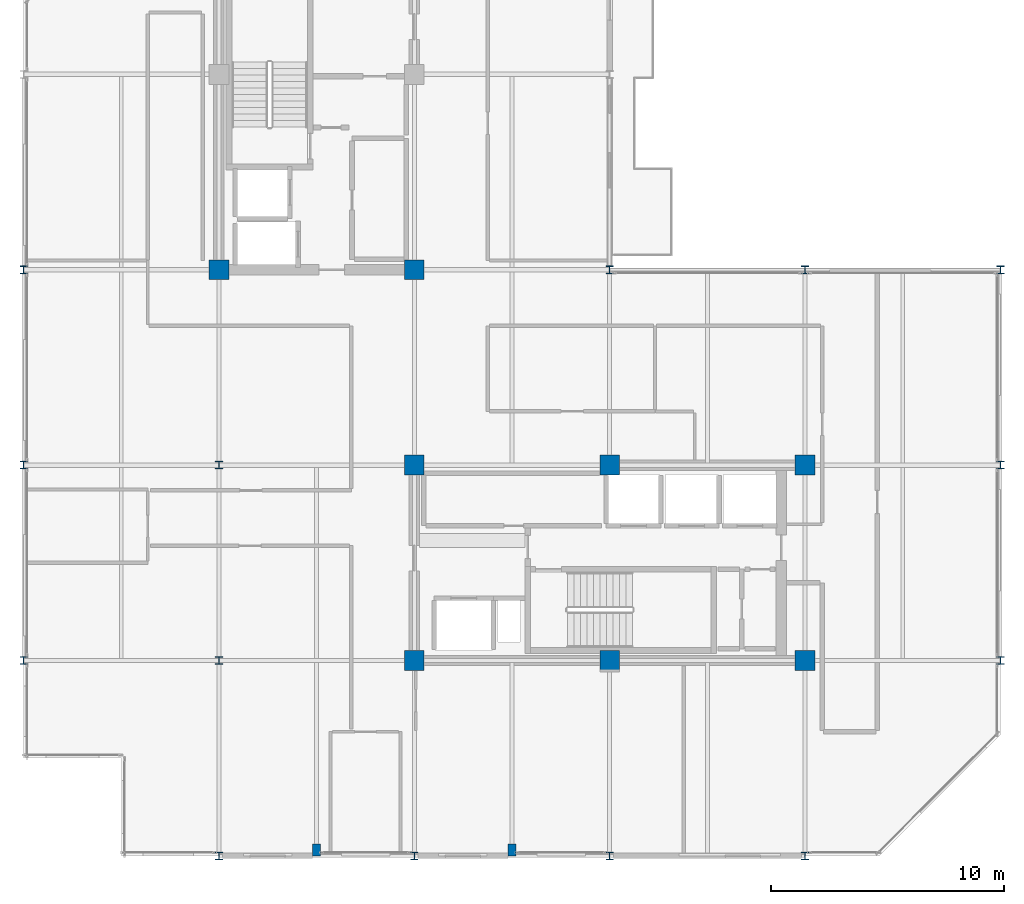
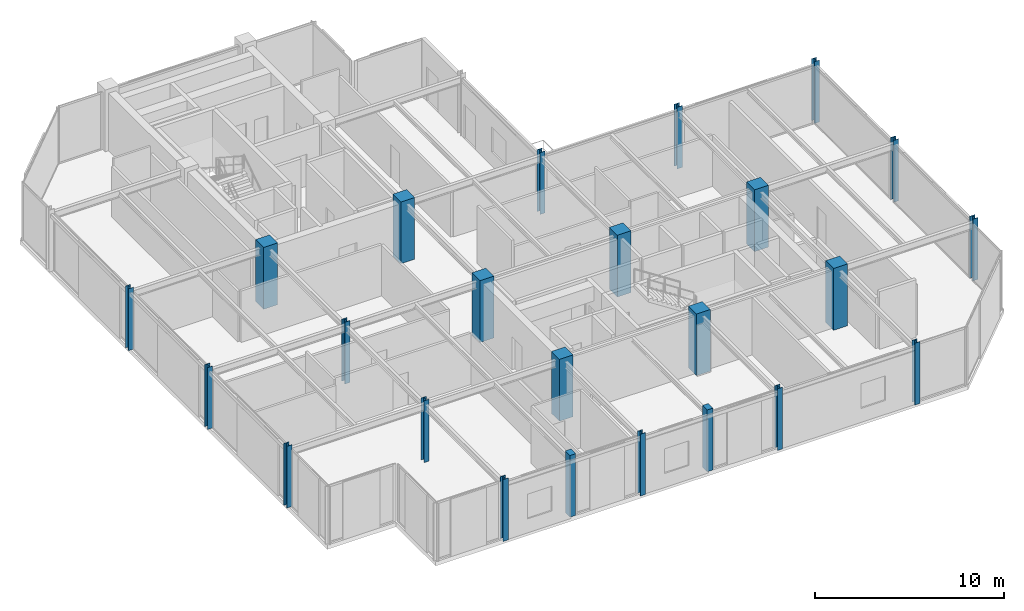
# One storey, part 1 of 26: 24 columns.
"""IFC4 building model written with IfcOpenShell, lengths in metres."""

import ifcopenshell
import ifcopenshell.guid

model = None  # the IFC model being written
_history = None  # IfcOwnerHistory: only IFC2X3 demands one
_inside = {}  # id of a spatial element -> (the spatial element, [elements in it])
_under = {}  # id of a project, library or spatial element -> (it, [spatial elements below it])
_declared = {}  # id of a project -> (the project, [libraries it declares])
_typed = {}  # id of a type object -> (the type object, [elements of that type])
_made_of = {}  # id of a material, layer set ... -> (it, [elements and type objects made of it])


def new_model(schema):
    """Start an empty IFC model of exactly this schema.

    Asked for "IFC4X3", IfcOpenShell would pick the latest addendum, in which some entities
    have other attributes; the version numbers below select the first issue.
    IFC2X3 requires an IfcOwnerHistory on every rooted entity: one is made here for all.
    """
    global model, _history
    if schema == "IFC4X3":
        model = ifcopenshell.file(schema_version=(4, 3, 0, 0))
    else:
        model = ifcopenshell.file(schema=schema)
    _inside.clear()
    _under.clear()
    _declared.clear()
    _typed.clear()
    _made_of.clear()
    _history = None
    if model.schema == "IFC2X3":
        org = make("IfcOrganization", Name="unknown")
        user = make(
            "IfcPersonAndOrganization",
            ThePerson=make("IfcPerson", FamilyName="unknown"),
            TheOrganization=org,
        )
        app = make(
            "IfcApplication",
            ApplicationDeveloper=org,
            Version="unknown",
            ApplicationFullName="unknown",
            ApplicationIdentifier="unknown",
        )
        _history = make(
            "IfcOwnerHistory",
            OwningUser=user,
            OwningApplication=app,
            ChangeAction="ADDED",
            CreationDate=0,
        )
    return model


def make(cls, **values):
    """One entity of the class cls with the attributes given. An attribute that is None is left unset."""
    return model.create_entity(
        cls, **{name: value for name, value in values.items() if value is not None}
    )


def rooted(cls, **values):
    """An entity with a GlobalId (a new one), such as an element, a storey or a relation."""
    return make(cls, GlobalId=ifcopenshell.guid.new(), OwnerHistory=_history, **values)


def si_unit(unit_type, name, prefix=None):
    """IfcSIUnit, for example si_unit("LENGTHUNIT", "METRE", prefix="MILLI")."""
    return make("IfcSIUnit", UnitType=unit_type, Prefix=prefix, Name=name)


def assignment(units):
    """IfcUnitAssignment: the units of a project."""
    return None if units is None else make("IfcUnitAssignment", Units=units)


def point(xyz):
    """IfcCartesianPoint."""
    return None if xyz is None else make("IfcCartesianPoint", Coordinates=xyz)


def direction(xyz):
    """IfcDirection."""
    return None if xyz is None else make("IfcDirection", DirectionRatios=xyz)


def frame(location, z_axis=None, x_axis=None):
    """IfcAxis2Placement3D, a coordinate frame: its origin and axes. An axis left out is left unset."""
    return make(
        "IfcAxis2Placement3D",
        Location=point(location),
        Axis=direction(z_axis),
        RefDirection=direction(x_axis),
    )


def frame_2d(location, x_axis=None):
    """IfcAxis2Placement2D, a coordinate frame in the plane: its origin and x axis."""
    return make(
        "IfcAxis2Placement2D", Location=point(location), RefDirection=direction(x_axis)
    )


def origin():
    """The frame at (0, 0, 0) with its axes left unset."""
    return frame((0.0, 0.0, 0.0))


def origin_2d():
    """The frame at (0, 0) in the plane with its x axis left unset."""
    return frame_2d((0.0, 0.0))


def place(relative_to, where):
    """IfcLocalPlacement: puts the frame where relative to a parent placement (None: the world)."""
    return make(
        "IfcLocalPlacement", PlacementRelTo=relative_to, RelativePlacement=where
    )


def context(
    kind, dimensions, precision=None, world=None, true_north=None, identifier=None
):
    """IfcGeometricRepresentationContext, for example the 3D "Model" context."""
    return make(
        "IfcGeometricRepresentationContext",
        ContextIdentifier=identifier,
        ContextType=kind,
        CoordinateSpaceDimension=dimensions,
        Precision=precision,
        WorldCoordinateSystem=world,
        TrueNorth=true_north,
    )


def subcontext(parent, identifier, kind, view, scale=None):
    """IfcGeometricRepresentationSubContext, for example "Body" below "Model"."""
    return make(
        "IfcGeometricRepresentationSubContext",
        ContextIdentifier=identifier,
        ContextType=kind,
        ParentContext=parent,
        TargetScale=scale,
        TargetView=view,
    )


def project(units=None, contexts=None):
    """IfcProject with its units and contexts."""
    return rooted(
        "IfcProject",
        Name="project",
        RepresentationContexts=contexts,
        UnitsInContext=assignment(units),
    )


def spatial(cls, under=None, at=None, **own):
    """A site, building, storey or space (cls), placed at a placement, below another one or the project."""
    s = rooted(cls, ObjectPlacement=at, **own)
    if under is not None:
        _under.setdefault(under.id(), (under, []))[1].append(s)
    return s


def profile(cls, at=None, kind="AREA", **sizes):
    """A parametric profile (cls). Its sizes go by their IFC names, for example OverallWidth=200.0."""
    return make(cls, ProfileType=kind, Position=at, **sizes)


def rectangle(**sizes):
    """IfcRectangleProfileDef."""
    return profile("IfcRectangleProfileDef", **sizes)


def i_section(**sizes):
    """IfcIShapeProfileDef."""
    return profile("IfcIShapeProfileDef", **sizes)


def extrude(swept, where, along, depth):
    """IfcExtrudedAreaSolid: the profile swept, set in the frame where, extruded along a direction by depth."""
    return make(
        "IfcExtrudedAreaSolid",
        SweptArea=swept,
        Position=where,
        ExtrudedDirection=direction(along),
        Depth=depth,
    )


def shape(context_of_items, identifier, shape_type, items):
    """IfcShapeRepresentation: the items that make up one representation, for example the "Body"."""
    return make(
        "IfcShapeRepresentation",
        ContextOfItems=context_of_items,
        RepresentationIdentifier=identifier,
        RepresentationType=shape_type,
        Items=items,
    )


def material(Name=None, Category=None):
    """IfcMaterial."""
    return make("IfcMaterial", Name=Name, Category=Category)


def material_profile(
    of_material, cross_section, Name=None, Category=None, Priority=None
):
    """IfcMaterialProfile: a cross section and its material."""
    return make(
        "IfcMaterialProfile",
        Name=Name,
        Material=of_material,
        Profile=cross_section,
        Priority=Priority,
        Category=Category,
    )


def profile_set(profiles, Name=None, composite=None):
    """IfcMaterialProfileSet."""
    return make(
        "IfcMaterialProfileSet",
        Name=Name,
        MaterialProfiles=profiles,
        CompositeProfile=composite,
    )


def made_of(thing, what):
    """Note that an element or type object is made of a material, layer set ...; save() writes the relation."""
    if what is not None:
        _made_of.setdefault(what.id(), (what, []))[1].append(thing)
    return thing


def type_object(cls, material=None, **own):
    """A type object (cls), such as IfcWallType, which elements share."""
    return made_of(rooted(cls, **own), material)


def element(
    cls,
    number,
    at=None,
    inside=None,
    cuts=None,
    type_object=None,
    material=None,
    context=None,
    identifier="Body",
    shape_type=None,
    held_by="IfcProductDefinitionShape",
    body=None,
    shapes=None,
    **own,
):
    """One element of the class cls, such as IfcWall. Its Tag is "e" and its number.

    at: its placement. inside: the storey or other place that contains it. cuts: it is an
    opening in that element (IfcRelVoidsElement). A single representation is given by context,
    identifier, shape_type and body (its items); several are given by shapes. held_by: the class
    of the entity that holds the representations. save() writes the other relations.
    """
    e = rooted(cls, Tag="e%d" % number, ObjectPlacement=at, **own)
    if body is not None:
        shapes = [shape(context, identifier, shape_type, body)]
    if shapes is not None:
        e.Representation = make(held_by, Representations=shapes)
    if inside is not None:
        _inside.setdefault(inside.id(), (inside, []))[1].append(e)
    if cuts is not None:
        rooted(
            "IfcRelVoidsElement", RelatingBuildingElement=cuts, RelatedOpeningElement=e
        )
    if type_object is not None:
        _typed.setdefault(type_object.id(), (type_object, []))[1].append(e)
    return made_of(e, material)


def aggregate(whole, parts):
    """IfcRelAggregates: a whole, such as a stair, and the parts it consists of."""
    return rooted("IfcRelAggregates", RelatingObject=whole, RelatedObjects=parts)


def save(model, path):
    """Write the relations noted so far, then the file.

    IfcRelAggregates (storeys below a building ...), IfcRelContainedInSpatialStructure (elements
    in a storey), IfcRelDefinesByType, IfcRelAssociatesMaterial and IfcRelDeclares: one each for
    every whole, place, type object, material and project.
    """
    for whole, parts in _under.values():
        aggregate(whole, parts)
    for where, things in _inside.values():
        rooted(
            "IfcRelContainedInSpatialStructure",
            RelatedElements=things,
            RelatingStructure=where,
        )
    for kind, things in _typed.values():
        rooted("IfcRelDefinesByType", RelatedObjects=things, RelatingType=kind)
    for what, things in _made_of.values():
        rooted("IfcRelAssociatesMaterial", RelatedObjects=things, RelatingMaterial=what)
    for by, libraries in _declared.values():
        rooted("IfcRelDeclares", RelatingContext=by, RelatedDefinitions=libraries)
    model.write(path)


model = new_model("IFC4")

# Units and contexts
model_context = context("Model", 3, precision=1e-05, world=origin(), true_north=direction((0.0, 1.0)))
body_context = subcontext(model_context, "Body", "Model", "MODEL_VIEW")
ifc_project = project(units=[si_unit("LENGTHUNIT", "METRE"), si_unit("AREAUNIT", "SQUARE_METRE"), si_unit("VOLUMEUNIT", "CUBIC_METRE"), si_unit("PLANEANGLEUNIT", "RADIAN"), si_unit("MASSUNIT", "GRAM", prefix="KILO")], contexts=[model_context])

# Site, building, storey
site_placement = place(None, origin())
site = spatial("IfcSite", under=ifc_project, at=site_placement, CompositionType="ELEMENT")
building_placement = place(site_placement, origin())
building = spatial("IfcBuilding", under=site, at=building_placement, Name="Nerrivon Quay Data Exchange", CompositionType="ELEMENT")
storey_placement = place(building_placement, frame((0.0, 0.0, 262.199951171875)))
storey = spatial("IfcBuildingStorey", under=building, at=storey_placement, Name="L62", CompositionType="ELEMENT", Elevation=262.199951171875)

# Columns
ifc_material_1 = material(Name="Concrete N50 (50 MPa)", Category="concrete")
ifc_material_profile_1 = material_profile(ifc_material_1, rectangle(XDim=0.85009765625, YDim=0.85009765625, at=origin_2d()), Name="RC-COL-850x850")
ifc_profile_set_1 = profile_set([ifc_material_profile_1], Name="Concrete N50 (50 MPa)")
column_type_1 = type_object("IfcColumnType", Name="COL-C5-850", PredefinedType="COLUMN", material=ifc_profile_set_1)
for number, where, z_axis, x_axis, name in (
    (1, (8.39990234375, 25.199951171875, 0.0), (0.0, 0.0, 1.0), (1.0, 0.0, 0.0), "L62 Column (8.4,25.2)"),
    (2, (16.800048828125, 8.39990234375, 0.0), (0.0, 0.0, 1.0), (1.0, 0.0, 0.0), "L62 Column (16.8,8.4)"),
    (3, (16.800048828125, 16.800048828125, 0.0), (0.0, 0.0, 1.0), (1.0, 0.0, 0.0), "L62 Column (16.8,16.8)"),
    (4, (16.800048828125, 25.199951171875, 0.0), (0.0, 0.0, 1.0), (1.0, 0.0, 0.0), "L62 Column (16.8,25.2)"),
    (5, (25.199951171875, 8.39990234375, 0.0), (0.0, 0.0, 1.0), (1.0, 0.0, 0.0), "L62 Column (25.2,8.4)"),
    (6, (25.199951171875, 16.800048828125, 0.0), (0.0, 0.0, 1.0), (1.0, 0.0, 0.0), "L62 Column (25.2,16.8)"),
    (7, (33.60009765625, 8.39990234375, 0.0), (0.0, 0.0, 1.0), (1.0, 0.0, 0.0), "L62 Column (33.6,8.4)"),
    (8, (33.60009765625, 16.800048828125, 0.0), (0.0, 0.0, 1.0), (1.0, 0.0, 0.0), "L62 Column (33.6,16.8)"),
):
    element("IfcColumn", number, at=place(storey_placement, frame(where, z_axis=z_axis, x_axis=x_axis)), inside=storey, type_object=column_type_1, Name=name, PredefinedType="COLUMN", context=body_context, shape_type="SweptSolid", body=[
        extrude(rectangle(XDim=0.85009765625, YDim=0.85009765625, at=origin_2d()), origin(), (0.0, 0.0, 1.0), 4.0),
    ])
ifc_material_2 = material(Name="Steel Grade 350", Category="steel")
ifc_material_profile_2 = material_profile(ifc_material_2, i_section(OverallWidth=0.31103515625, OverallDepth=0.326904296875, WebThickness=0.015625, FlangeThickness=0.02490234375, FilletRadius=0.0166015625, at=origin_2d()), Name="310UC158")
ifc_profile_set_2 = profile_set([ifc_material_profile_2], Name="Steel Grade 350")
column_type_2 = type_object("IfcColumnType", Name="COL-SC4-310UC158", PredefinedType="COLUMN", material=ifc_profile_set_2)
for number, where, z_axis, x_axis, name in (
    (9, (0.0, 8.39990234375, 0.0), (0.0, 0.0, 1.0), (1.0, 0.0, 0.0), "L62 Column (0.0,8.4)"),
    (10, (0.0, 16.800048828125, 0.0), (0.0, 0.0, 1.0), (1.0, 0.0, 0.0), "L62 Column (0.0,16.8)"),
    (11, (0.0, 25.199951171875, 0.0), (0.0, 0.0, 1.0), (1.0, 0.0, 0.0), "L62 Column (0.0,25.2)"),
    (12, (8.39990234375, 0.0, 0.0), (0.0, 0.0, 1.0), (1.0, 0.0, 0.0), "L62 Column (8.4,0.0)"),
    (13, (8.39990234375, 8.39990234375, 0.0), (0.0, 0.0, 1.0), (1.0, 0.0, 0.0), "L62 Column (8.4,8.4)"),
    (14, (8.39990234375, 16.800048828125, 0.0), (0.0, 0.0, 1.0), (1.0, 0.0, 0.0), "L62 Column (8.4,16.8)"),
    (15, (16.800048828125, 0.0, 0.0), (0.0, 0.0, 1.0), (1.0, 0.0, 0.0), "L62 Column (16.8,0.0)"),
    (16, (25.199951171875, 0.0, 0.0), (0.0, 0.0, 1.0), (1.0, 0.0, 0.0), "L62 Column (25.2,0.0)"),
    (17, (25.199951171875, 25.199951171875, 0.0), (0.0, 0.0, 1.0), (1.0, 0.0, 0.0), "L62 Column (25.2,25.2)"),
    (18, (33.60009765625, 0.0, 0.0), (0.0, 0.0, 1.0), (1.0, 0.0, 0.0), "L62 Column (33.6,0.0)"),
    (19, (33.60009765625, 25.199951171875, 0.0), (0.0, 0.0, 1.0), (1.0, 0.0, 0.0), "L62 Column (33.6,25.2)"),
    (20, (42.0, 8.39990234375, 0.0), (0.0, 0.0, 1.0), (1.0, 0.0, 0.0), "L62 Column (42.0,8.4)"),
    (21, (42.0, 16.800048828125, 0.0), (0.0, 0.0, 1.0), (1.0, 0.0, 0.0), "L62 Column (42.0,16.8)"),
    (22, (42.0, 25.199951171875, 0.0), (0.0, 0.0, 1.0), (1.0, 0.0, 0.0), "L62 Column (42.0,25.2)"),
):
    element("IfcColumn", number, at=place(storey_placement, frame(where, z_axis=z_axis, x_axis=x_axis)), inside=storey, type_object=column_type_2, Name=name, PredefinedType="COLUMN", context=body_context, shape_type="SweptSolid", body=[
        extrude(i_section(OverallWidth=0.31103515625, OverallDepth=0.326904296875, WebThickness=0.015625, FlangeThickness=0.02490234375, FilletRadius=0.0166015625, at=origin_2d()), origin(), (0.0, 0.0, 1.0), 4.0),
    ])
ifc_material_profile_3 = material_profile(ifc_material_1, rectangle(XDim=0.35009765625, YDim=0.5, at=origin_2d()), Name="RC-PIL-500x350")
ifc_profile_set_3 = profile_set([ifc_material_profile_3], Name="Concrete N50 (50 MPa)")
column_type_3 = type_object("IfcColumnType", Name="PIL-P2-500x350", PredefinedType="PILASTER", material=ifc_profile_set_3)
for number, where, z_axis, x_axis, name in (
    (23, (12.60009765625, 0.25, 0.0), (0.0, 0.0, 1.0), (1.0, 0.0, 0.0), "L62 Facade Pilaster (12.6)"),
    (24, (21.0, 0.25, 0.0), (0.0, 0.0, 1.0), (1.0, 0.0, 0.0), "L62 Facade Pilaster (21.0)"),
):
    element("IfcColumn", number, at=place(storey_placement, frame(where, z_axis=z_axis, x_axis=x_axis)), inside=storey, type_object=column_type_3, Name=name, PredefinedType="PILASTER", context=body_context, shape_type="SweptSolid", body=[
        extrude(rectangle(XDim=0.35009765625, YDim=0.5, at=origin_2d()), origin(), (0.0, 0.0, 1.0), 4.0),
    ])

save(model, "model.ifc")
